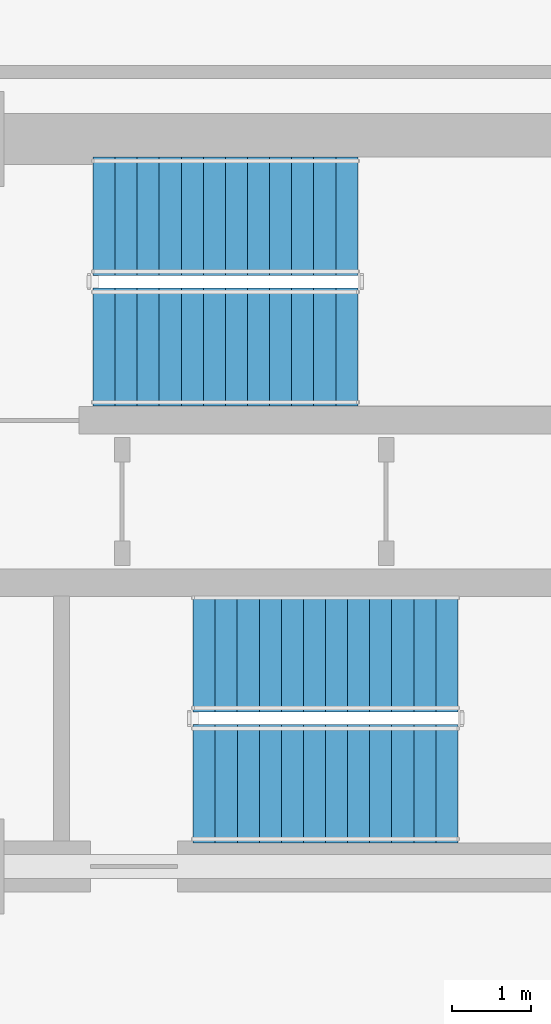
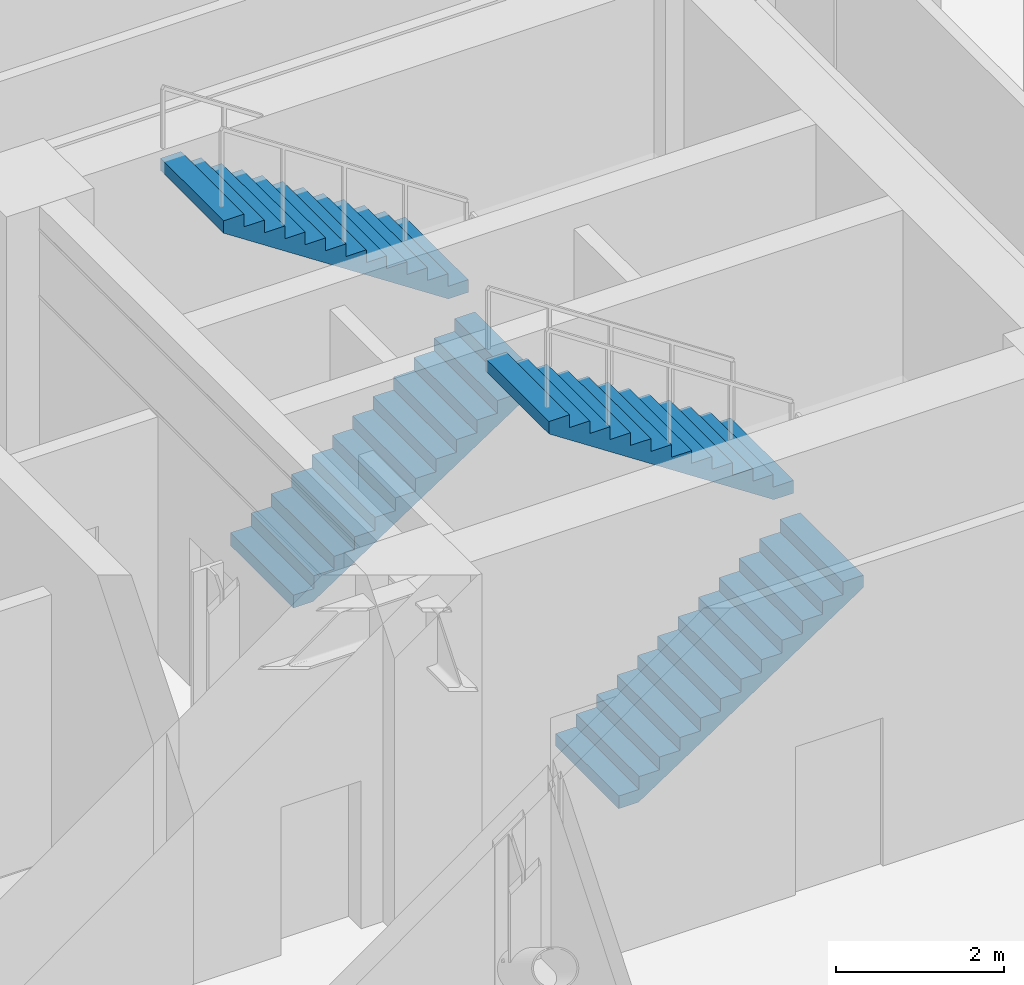
# One storey, part 10 of 13: 4 stair flights, 2 elements without a shape of their own.
"""IFC4 building model written with IfcOpenShell, lengths in metres."""

from ifc_helpers import new_model, si_unit, direction, frame, origin, place, context, subcontext, project, spatial, polyline, outline, extrude, material, layer, layer_set, type_object, element, aggregate, save


model = new_model("IFC4")

# Units and contexts
model_context = context("Model", 3, precision=1e-05, world=origin(), true_north=direction((0.0, 1.0)))
body_context = subcontext(model_context, "Body", "Model", "MODEL_VIEW")
ifc_project = project(units=[si_unit("LENGTHUNIT", "METRE"), si_unit("AREAUNIT", "SQUARE_METRE"), si_unit("VOLUMEUNIT", "CUBIC_METRE"), si_unit("PLANEANGLEUNIT", "RADIAN"), si_unit("MASSUNIT", "GRAM", prefix="KILO")], contexts=[model_context])

# Site, building, storey
site_placement = place(None, origin())
site = spatial("IfcSite", under=ifc_project, at=site_placement, CompositionType="ELEMENT")
building_placement = place(site_placement, origin())
building = spatial("IfcBuilding", under=site, at=building_placement, Name="Zarnavel Station Tower", CompositionType="ELEMENT")
storey_placement = place(building_placement, frame((0.0, 0.0, 132.89990234375)))
storey = spatial("IfcBuildingStorey", under=building, at=storey_placement, Name="L36", CompositionType="ELEMENT", Elevation=132.89990234375)

# Stair, stair flights
ifc_material_1 = material(Name="Concrete C45/55", Category="concrete")
stair_type = type_object("IfcStairType", Name="ST_CORE_150", PredefinedType="HALF_TURN_STAIR", material=ifc_material_1)
stair_1_placement = place(storey_placement, origin())
stair_1 = element("IfcStair", 1, at=stair_1_placement, inside=storey, type_object=stair_type, Name="L36 Core Exit Stair ST2", PredefinedType="HALF_TURN_STAIR")
ifc_material_2 = material(Name="Concrete C45/55", Category="concrete")
ifc_layer = layer(ifc_material_2, 0.179931640625)
ifc_layer_set = layer_set([ifc_layer], Name="ST_CORE_150_FLT")
stair_flight_type = type_object("IfcStairFlightType", Name="ST_CORE_150_FLT", PredefinedType="STRAIGHT", material=ifc_layer_set)
stair_flight_1_placement = place(storey_placement, frame((38.080078125, 34.409912109375, 0.0), z_axis=(0.0, 0.0, 1.0), x_axis=(1.0, 0.0, 0.0)))
stair_flight_1 = element("IfcStairFlight", 2, at=stair_flight_1_placement, type_object=stair_flight_type, Name="ST2 flight 1", NumberOfRisers=13, NumberOfTreads=12, PredefinedType="STRAIGHT", RiserHeight=0.184615385, TreadLength=0.28, context=body_context, shape_type="SweptSolid", body=[
    extrude(outline(polyline([(0.0, 0.0), (0.0, 0.1845703125), (0.280029296875, 0.1845703125), (0.280029296875, 0.369140625), (0.56005859375, 0.369140625), (0.56005859375, 0.553955078125), (0.840087890625, 0.553955078125), (0.840087890625, 0.738525390625), (1.1201171875, 0.738525390625), (1.1201171875, 0.923095703125), (1.39990234375, 0.923095703125), (1.39990234375, 1.107666015625), (1.679931640625, 1.107666015625), (1.679931640625, 1.292236328125), (1.9599609375, 1.292236328125), (1.9599609375, 1.476806640625), (2.239990234375, 1.476806640625), (2.239990234375, 1.66162109375), (2.52001953125, 1.66162109375), (2.52001953125, 1.84619140625), (2.800048828125, 1.84619140625), (2.800048828125, 2.03076171875), (3.080078125, 2.03076171875), (3.080078125, 2.21533203125), (3.360107421875, 2.21533203125), (3.360107421875, 2.39990234375), (3.360107421875, 2.035888671875), (0.272216796875, 0.0), (0.0, 0.0)])), frame((0.0, 0.75, 0.0), z_axis=(0.0, -1.0, 0.0), x_axis=(1.0, 0.0, 0.0)), (0.0, 0.0, 1.0), 1.5),
])
stair_flight_2_placement = place(storey_placement, frame((41.43994140625, 36.070068359375, 2.400146484375), z_axis=(0.0, 0.0, 1.0), x_axis=(-1.0, 0.0, 0.0)))
stair_flight_2 = element("IfcStairFlight", 3, at=stair_flight_2_placement, type_object=stair_flight_type, Name="ST2 flight 2", NumberOfRisers=13, NumberOfTreads=12, PredefinedType="STRAIGHT", RiserHeight=0.184615385, TreadLength=0.28, context=body_context, shape_type="SweptSolid", body=[
    extrude(outline(polyline([(0.0, 0.0), (0.0, 0.1845703125), (0.280029296875, 0.1845703125), (0.280029296875, 0.369140625), (0.56005859375, 0.369140625), (0.56005859375, 0.553955078125), (0.840087890625, 0.553955078125), (0.840087890625, 0.738525390625), (1.1201171875, 0.738525390625), (1.1201171875, 0.923095703125), (1.39990234375, 0.923095703125), (1.39990234375, 1.107666015625), (1.679931640625, 1.107666015625), (1.679931640625, 1.292236328125), (1.9599609375, 1.292236328125), (1.9599609375, 1.476806640625), (2.239990234375, 1.476806640625), (2.239990234375, 1.66162109375), (2.52001953125, 1.66162109375), (2.52001953125, 1.84619140625), (2.800048828125, 1.84619140625), (2.800048828125, 2.03076171875), (3.080078125, 2.03076171875), (3.080078125, 2.21533203125), (3.360107421875, 2.21533203125), (3.360107421875, 2.39990234375), (3.360107421875, 2.035888671875), (0.272216796875, 0.0), (0.0, 0.0)])), frame((0.0, 0.75, 0.0), z_axis=(0.0, -1.0, 0.0), x_axis=(1.0, 0.0, 0.0)), (0.0, 0.0, 1.0), 1.5),
])
aggregate(stair_1, [stair_flight_1, stair_flight_2])

stair_2_placement = place(storey_placement, origin())
stair_2 = element("IfcStair", 4, at=stair_2_placement, inside=storey, type_object=stair_type, Name="L36 Core Exit Stair ST3", PredefinedType="HALF_TURN_STAIR")
stair_flight_3_placement = place(storey_placement, frame((39.35009765625, 28.8701171875, 0.0), z_axis=(0.0, 0.0, 1.0), x_axis=(1.0, 0.0, 0.0)))
stair_flight_3 = element("IfcStairFlight", 5, at=stair_flight_3_placement, type_object=stair_flight_type, Name="ST3 flight 1", NumberOfRisers=13, NumberOfTreads=12, PredefinedType="STRAIGHT", RiserHeight=0.184615385, TreadLength=0.28, context=body_context, shape_type="SweptSolid", body=[
    extrude(outline(polyline([(0.0, 0.0), (0.0, 0.1845703125), (0.280029296875, 0.1845703125), (0.280029296875, 0.369140625), (0.56005859375, 0.369140625), (0.56005859375, 0.553955078125), (0.840087890625, 0.553955078125), (0.840087890625, 0.738525390625), (1.1201171875, 0.738525390625), (1.1201171875, 0.923095703125), (1.39990234375, 0.923095703125), (1.39990234375, 1.107666015625), (1.679931640625, 1.107666015625), (1.679931640625, 1.292236328125), (1.9599609375, 1.292236328125), (1.9599609375, 1.476806640625), (2.239990234375, 1.476806640625), (2.239990234375, 1.66162109375), (2.52001953125, 1.66162109375), (2.52001953125, 1.84619140625), (2.800048828125, 1.84619140625), (2.800048828125, 2.03076171875), (3.080078125, 2.03076171875), (3.080078125, 2.21533203125), (3.360107421875, 2.21533203125), (3.360107421875, 2.39990234375), (3.360107421875, 2.035888671875), (0.272216796875, 0.0), (0.0, 0.0)])), frame((0.0, 0.75, 0.0), z_axis=(0.0, -1.0, 0.0), x_axis=(1.0, 0.0, 0.0)), (0.0, 0.0, 1.0), 1.5),
])
stair_flight_4_placement = place(storey_placement, frame((42.7099609375, 30.530029296875, 2.400146484375), z_axis=(0.0, 0.0, 1.0), x_axis=(-1.0, 0.0, 0.0)))
stair_flight_4 = element("IfcStairFlight", 6, at=stair_flight_4_placement, type_object=stair_flight_type, Name="ST3 flight 2", NumberOfRisers=13, NumberOfTreads=12, PredefinedType="STRAIGHT", RiserHeight=0.184615385, TreadLength=0.28, context=body_context, shape_type="SweptSolid", body=[
    extrude(outline(polyline([(0.0, 0.0), (0.0, 0.1845703125), (0.280029296875, 0.1845703125), (0.280029296875, 0.369140625), (0.56005859375, 0.369140625), (0.56005859375, 0.553955078125), (0.840087890625, 0.553955078125), (0.840087890625, 0.738525390625), (1.1201171875, 0.738525390625), (1.1201171875, 0.923095703125), (1.39990234375, 0.923095703125), (1.39990234375, 1.107666015625), (1.679931640625, 1.107666015625), (1.679931640625, 1.292236328125), (1.9599609375, 1.292236328125), (1.9599609375, 1.476806640625), (2.239990234375, 1.476806640625), (2.239990234375, 1.66162109375), (2.52001953125, 1.66162109375), (2.52001953125, 1.84619140625), (2.800048828125, 1.84619140625), (2.800048828125, 2.03076171875), (3.080078125, 2.03076171875), (3.080078125, 2.21533203125), (3.360107421875, 2.21533203125), (3.360107421875, 2.39990234375), (3.360107421875, 2.035888671875), (0.272216796875, 0.0), (0.0, 0.0)])), frame((0.0, 0.75, 0.0), z_axis=(0.0, -1.0, 0.0), x_axis=(1.0, 0.0, 0.0)), (0.0, 0.0, 1.0), 1.5),
])
aggregate(stair_2, [stair_flight_3, stair_flight_4])

save(model, "model.ifc")
